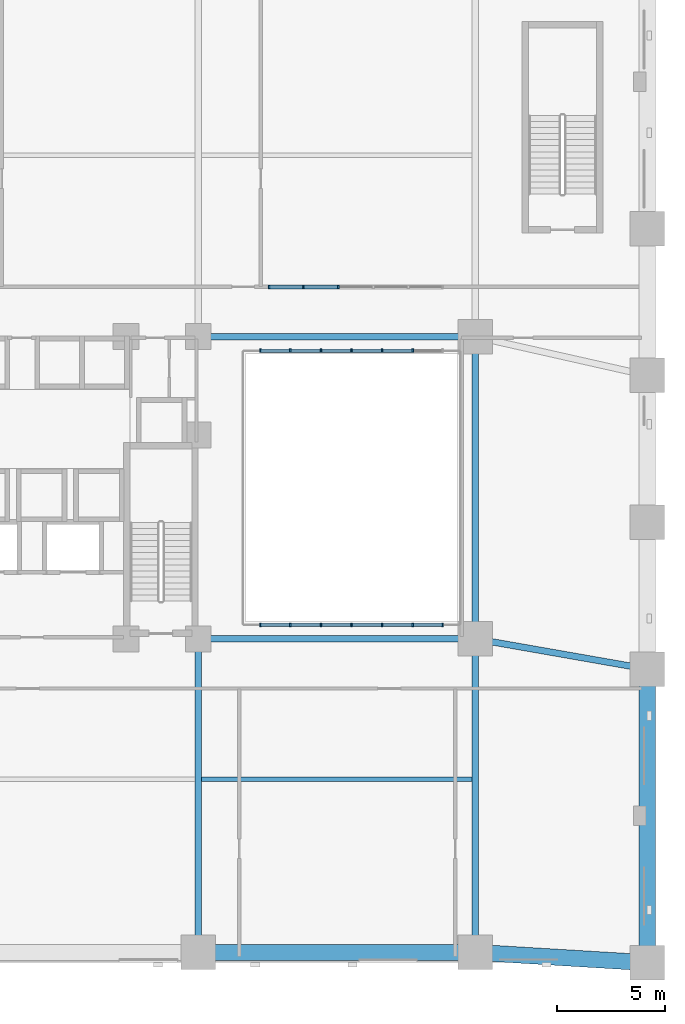
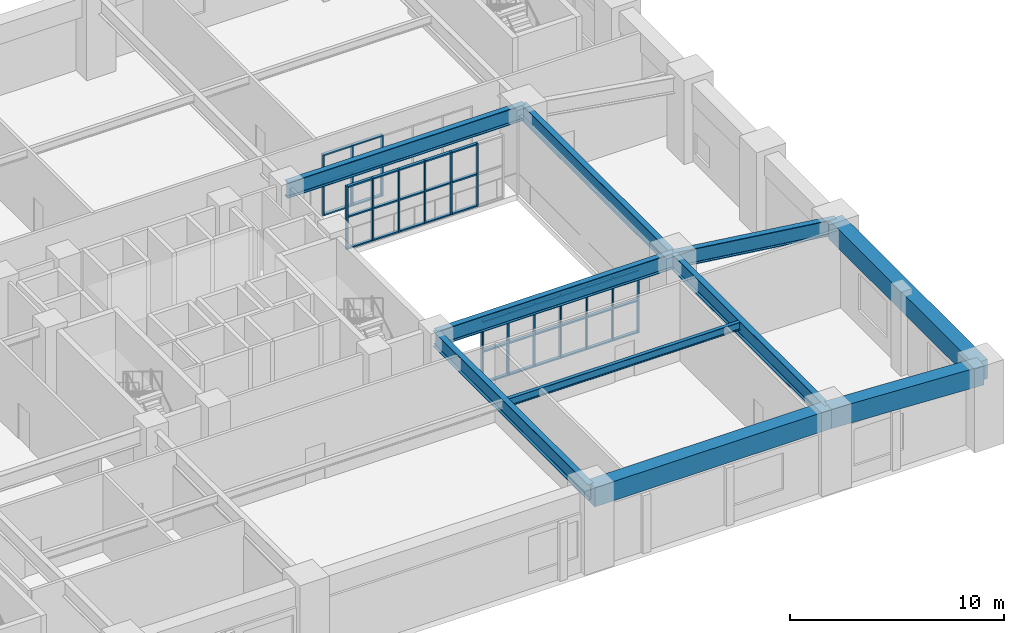
# One storey, part 3 of 13: 55 members, 10 beams, 3 elements without a shape of their own.
"""IFC4 building model written with IfcOpenShell, lengths in metres."""

import ifcopenshell
import ifcopenshell.guid

model = None  # the IFC model being written
_history = None  # IfcOwnerHistory: only IFC2X3 demands one
_inside = {}  # id of a spatial element -> (the spatial element, [elements in it])
_under = {}  # id of a project, library or spatial element -> (it, [spatial elements below it])
_declared = {}  # id of a project -> (the project, [libraries it declares])
_typed = {}  # id of a type object -> (the type object, [elements of that type])
_made_of = {}  # id of a material, layer set ... -> (it, [elements and type objects made of it])


def new_model(schema):
    """Start an empty IFC model of exactly this schema.

    Asked for "IFC4X3", IfcOpenShell would pick the latest addendum, in which some entities
    have other attributes; the version numbers below select the first issue.
    IFC2X3 requires an IfcOwnerHistory on every rooted entity: one is made here for all.
    """
    global model, _history
    if schema == "IFC4X3":
        model = ifcopenshell.file(schema_version=(4, 3, 0, 0))
    else:
        model = ifcopenshell.file(schema=schema)
    _inside.clear()
    _under.clear()
    _declared.clear()
    _typed.clear()
    _made_of.clear()
    _history = None
    if model.schema == "IFC2X3":
        org = make("IfcOrganization", Name="unknown")
        user = make(
            "IfcPersonAndOrganization",
            ThePerson=make("IfcPerson", FamilyName="unknown"),
            TheOrganization=org,
        )
        app = make(
            "IfcApplication",
            ApplicationDeveloper=org,
            Version="unknown",
            ApplicationFullName="unknown",
            ApplicationIdentifier="unknown",
        )
        _history = make(
            "IfcOwnerHistory",
            OwningUser=user,
            OwningApplication=app,
            ChangeAction="ADDED",
            CreationDate=0,
        )
    return model


def make(cls, **values):
    """One entity of the class cls with the attributes given. An attribute that is None is left unset."""
    return model.create_entity(
        cls, **{name: value for name, value in values.items() if value is not None}
    )


def rooted(cls, **values):
    """An entity with a GlobalId (a new one), such as an element, a storey or a relation."""
    return make(cls, GlobalId=ifcopenshell.guid.new(), OwnerHistory=_history, **values)


def si_unit(unit_type, name, prefix=None):
    """IfcSIUnit, for example si_unit("LENGTHUNIT", "METRE", prefix="MILLI")."""
    return make("IfcSIUnit", UnitType=unit_type, Prefix=prefix, Name=name)


def derived_unit(unit_type, elements):
    """IfcDerivedUnit: a product of units, each with its exponent."""
    return make(
        "IfcDerivedUnit",
        Elements=[
            make("IfcDerivedUnitElement", Unit=unit, Exponent=power)
            for unit, power in elements
        ],
        UnitType=unit_type,
    )


def assignment(units):
    """IfcUnitAssignment: the units of a project."""
    return None if units is None else make("IfcUnitAssignment", Units=units)


def point(xyz):
    """IfcCartesianPoint."""
    return None if xyz is None else make("IfcCartesianPoint", Coordinates=xyz)


def direction(xyz):
    """IfcDirection."""
    return None if xyz is None else make("IfcDirection", DirectionRatios=xyz)


def frame(location, z_axis=None, x_axis=None):
    """IfcAxis2Placement3D, a coordinate frame: its origin and axes. An axis left out is left unset."""
    return make(
        "IfcAxis2Placement3D",
        Location=point(location),
        Axis=direction(z_axis),
        RefDirection=direction(x_axis),
    )


def frame_2d(location, x_axis=None):
    """IfcAxis2Placement2D, a coordinate frame in the plane: its origin and x axis."""
    return make(
        "IfcAxis2Placement2D", Location=point(location), RefDirection=direction(x_axis)
    )


def origin():
    """The frame at (0, 0, 0) with its axes left unset."""
    return frame((0.0, 0.0, 0.0))


def origin_2d():
    """The frame at (0, 0) in the plane with its x axis left unset."""
    return frame_2d((0.0, 0.0))


def place(relative_to, where):
    """IfcLocalPlacement: puts the frame where relative to a parent placement (None: the world)."""
    return make(
        "IfcLocalPlacement", PlacementRelTo=relative_to, RelativePlacement=where
    )


def context(
    kind, dimensions, precision=None, world=None, true_north=None, identifier=None
):
    """IfcGeometricRepresentationContext, for example the 3D "Model" context."""
    return make(
        "IfcGeometricRepresentationContext",
        ContextIdentifier=identifier,
        ContextType=kind,
        CoordinateSpaceDimension=dimensions,
        Precision=precision,
        WorldCoordinateSystem=world,
        TrueNorth=true_north,
    )


def subcontext(parent, identifier, kind, view, scale=None):
    """IfcGeometricRepresentationSubContext, for example "Body" below "Model"."""
    return make(
        "IfcGeometricRepresentationSubContext",
        ContextIdentifier=identifier,
        ContextType=kind,
        ParentContext=parent,
        TargetScale=scale,
        TargetView=view,
    )


def project(units=None, contexts=None):
    """IfcProject with its units and contexts."""
    return rooted(
        "IfcProject",
        Name="project",
        RepresentationContexts=contexts,
        UnitsInContext=assignment(units),
    )


def spatial(cls, under=None, at=None, **own):
    """A site, building, storey or space (cls), placed at a placement, below another one or the project."""
    s = rooted(cls, ObjectPlacement=at, **own)
    if under is not None:
        _under.setdefault(under.id(), (under, []))[1].append(s)
    return s


def profile(cls, at=None, kind="AREA", **sizes):
    """A parametric profile (cls). Its sizes go by their IFC names, for example OverallWidth=200.0."""
    return make(cls, ProfileType=kind, Position=at, **sizes)


def rectangle(**sizes):
    """IfcRectangleProfileDef."""
    return profile("IfcRectangleProfileDef", **sizes)


def i_section(**sizes):
    """IfcIShapeProfileDef."""
    return profile("IfcIShapeProfileDef", **sizes)


def extrude(swept, where, along, depth):
    """IfcExtrudedAreaSolid: the profile swept, set in the frame where, extruded along a direction by depth."""
    return make(
        "IfcExtrudedAreaSolid",
        SweptArea=swept,
        Position=where,
        ExtrudedDirection=direction(along),
        Depth=depth,
    )


def shape(context_of_items, identifier, shape_type, items):
    """IfcShapeRepresentation: the items that make up one representation, for example the "Body"."""
    return make(
        "IfcShapeRepresentation",
        ContextOfItems=context_of_items,
        RepresentationIdentifier=identifier,
        RepresentationType=shape_type,
        Items=items,
    )


def material(Name=None, Category=None):
    """IfcMaterial."""
    return make("IfcMaterial", Name=Name, Category=Category)


def material_profile(
    of_material, cross_section, Name=None, Category=None, Priority=None
):
    """IfcMaterialProfile: a cross section and its material."""
    return make(
        "IfcMaterialProfile",
        Name=Name,
        Material=of_material,
        Profile=cross_section,
        Priority=Priority,
        Category=Category,
    )


def profile_set(profiles, Name=None, composite=None):
    """IfcMaterialProfileSet."""
    return make(
        "IfcMaterialProfileSet",
        Name=Name,
        MaterialProfiles=profiles,
        CompositeProfile=composite,
    )


def made_of(thing, what):
    """Note that an element or type object is made of a material, layer set ...; save() writes the relation."""
    if what is not None:
        _made_of.setdefault(what.id(), (what, []))[1].append(thing)
    return thing


def type_object(cls, material=None, **own):
    """A type object (cls), such as IfcWallType, which elements share."""
    return made_of(rooted(cls, **own), material)


def element(
    cls,
    number,
    at=None,
    inside=None,
    cuts=None,
    type_object=None,
    material=None,
    context=None,
    identifier="Body",
    shape_type=None,
    held_by="IfcProductDefinitionShape",
    body=None,
    shapes=None,
    **own,
):
    """One element of the class cls, such as IfcWall. Its Tag is "e" and its number.

    at: its placement. inside: the storey or other place that contains it. cuts: it is an
    opening in that element (IfcRelVoidsElement). A single representation is given by context,
    identifier, shape_type and body (its items); several are given by shapes. held_by: the class
    of the entity that holds the representations. save() writes the other relations.
    """
    e = rooted(cls, Tag="e%d" % number, ObjectPlacement=at, **own)
    if body is not None:
        shapes = [shape(context, identifier, shape_type, body)]
    if shapes is not None:
        e.Representation = make(held_by, Representations=shapes)
    if inside is not None:
        _inside.setdefault(inside.id(), (inside, []))[1].append(e)
    if cuts is not None:
        rooted(
            "IfcRelVoidsElement", RelatingBuildingElement=cuts, RelatedOpeningElement=e
        )
    if type_object is not None:
        _typed.setdefault(type_object.id(), (type_object, []))[1].append(e)
    return made_of(e, material)


def aggregate(whole, parts):
    """IfcRelAggregates: a whole, such as a stair, and the parts it consists of."""
    return rooted("IfcRelAggregates", RelatingObject=whole, RelatedObjects=parts)


def save(model, path):
    """Write the relations noted so far, then the file.

    IfcRelAggregates (storeys below a building ...), IfcRelContainedInSpatialStructure (elements
    in a storey), IfcRelDefinesByType, IfcRelAssociatesMaterial and IfcRelDeclares: one each for
    every whole, place, type object, material and project.
    """
    for whole, parts in _under.values():
        aggregate(whole, parts)
    for where, things in _inside.values():
        rooted(
            "IfcRelContainedInSpatialStructure",
            RelatedElements=things,
            RelatingStructure=where,
        )
    for kind, things in _typed.values():
        rooted("IfcRelDefinesByType", RelatedObjects=things, RelatingType=kind)
    for what, things in _made_of.values():
        rooted("IfcRelAssociatesMaterial", RelatedObjects=things, RelatingMaterial=what)
    for by, libraries in _declared.values():
        rooted("IfcRelDeclares", RelatingContext=by, RelatedDefinitions=libraries)
    model.write(path)


model = new_model("IFC4")

# Units and contexts
model_context = context("Model", 3, precision=1e-05, world=origin(), true_north=direction((0.0, 1.0)))
body_context = subcontext(model_context, "Body", "Model", "MODEL_VIEW")
ifc_project = project(units=[si_unit("LENGTHUNIT", "METRE"), si_unit("AREAUNIT", "SQUARE_METRE"), si_unit("VOLUMEUNIT", "CUBIC_METRE"), si_unit("PLANEANGLEUNIT", "RADIAN"), si_unit("MASSUNIT", "GRAM", prefix="KILO"), derived_unit("THERMALTRANSMITTANCEUNIT", [(si_unit("MASSUNIT", "GRAM", prefix="KILO"), 1), (si_unit("TIMEUNIT", "SECOND"), -3), (si_unit("THERMODYNAMICTEMPERATUREUNIT", "KELVIN"), -1)])], contexts=[model_context])

# Site, building, storey
site_placement = place(None, origin())
site = spatial("IfcSite", under=ifc_project, at=site_placement, CompositionType="ELEMENT")
building_placement = place(site_placement, origin())
building = spatial("IfcBuilding", under=site, at=building_placement, Name="Korrvale Station Residences", CompositionType="ELEMENT")
storey_placement = place(building_placement, frame((0.0, 0.0, 11.199951171875)))
storey = spatial("IfcBuildingStorey", under=building, at=storey_placement, Name="L02", CompositionType="ELEMENT", Elevation=11.199951171875)

# Beams
ifc_material_1 = material(Name="Steel S355", Category="steel")
ifc_material_profile_1 = material_profile(ifc_material_1, i_section(OverallWidth=0.300048828125, OverallDepth=0.89990234375, WebThickness=0.01611328125, FlangeThickness=0.030029296875, FilletRadius=0.01611328125, at=origin_2d()), Name="WWF900x262")
ifc_profile_set_1 = profile_set([ifc_material_profile_1], Name="Steel S355")
beam_type_1 = type_object("IfcBeamType", Name="BM-BM-WWF900x262-S355", PredefinedType="BEAM", material=ifc_profile_set_1)
beam_1_placement = place(storey_placement, frame((46.02001953125, 0.47998046875, 4.030029296875), z_axis=(0.0, 1.0, 0.0), x_axis=(-1.0, 0.0, 0.0)))
element("IfcBeam", 1, at=beam_1_placement, inside=storey, type_object=beam_type_1, Name="L02 Station Primary Girder 04", PredefinedType="BEAM", context=body_context, shape_type="SweptSolid", body=[
    extrude(i_section(OverallWidth=0.300048828125, OverallDepth=0.89990234375, WebThickness=0.01611328125, FlangeThickness=0.030029296875, FilletRadius=0.01611328125, at=origin_2d()), origin(), (0.0, 0.0, 1.0), 14.52001953125),
])
beam_2_placement = place(storey_placement, frame((46.02001953125, 15.0, 4.030029296875), z_axis=(0.0, 1.0, 0.0), x_axis=(-1.0, 0.0, 0.0)))
element("IfcBeam", 2, at=beam_2_placement, inside=storey, type_object=beam_type_1, Name="L02 Station Primary Girder 05", PredefinedType="BEAM", context=body_context, shape_type="SweptSolid", body=[
    extrude(i_section(OverallWidth=0.300048828125, OverallDepth=0.89990234375, WebThickness=0.01611328125, FlangeThickness=0.030029296875, FilletRadius=0.01611328125, at=origin_2d()), origin(), (0.0, 0.0, 1.0), 14.0),
])
beam_3_placement = place(storey_placement, frame((46.02001953125, 15.0, 4.030029296875), z_axis=(0.98495900412, -0.172788194628, 0.0), x_axis=(0.172788194628, 0.98495900412, 0.0)))
element("IfcBeam", 3, at=beam_3_placement, inside=storey, type_object=beam_type_1, Name="L02 Station Primary Girder 13", PredefinedType="BEAM", context=body_context, shape_type="SweptSolid", body=[
    extrude(i_section(OverallWidth=0.300048828125, OverallDepth=0.89990234375, WebThickness=0.01611328125, FlangeThickness=0.030029296875, FilletRadius=0.01611328125, at=origin_2d()), origin(), (0.0, 0.0, 1.0), 8.101806640625),
])
for number, where, z_axis, x_axis, name in (
    (4, (33.199951171875, 15.0, 4.030029296875), (1.0, 0.0, 0.0), (0.0, 1.0, 0.0), "L02 Station Primary Girder 15"),
    (5, (33.199951171875, 29.0, 4.030029296875), (1.0, 0.0, 0.0), (0.0, 1.0, 0.0), "L02 Station Primary Girder 16"),
):
    element("IfcBeam", number, at=place(storey_placement, frame(where, z_axis=z_axis, x_axis=x_axis)), inside=storey, type_object=beam_type_1, Name=name, PredefinedType="BEAM", context=body_context, shape_type="SweptSolid", body=[
        extrude(i_section(OverallWidth=0.300048828125, OverallDepth=0.89990234375, WebThickness=0.01611328125, FlangeThickness=0.030029296875, FilletRadius=0.01611328125, at=origin_2d()), origin(), (0.0, 0.0, 1.0), 12.820068359375),
    ])
beam_4_placement = place(storey_placement, frame((33.199951171875, 0.47998046875, 4.030029296875), z_axis=(0.0, 1.0, 0.0), x_axis=(-1.0, 0.0, 0.0)))
element("IfcBeam", 6, at=beam_4_placement, inside=storey, type_object=beam_type_1, Name="L02 Station Primary Girder 18", PredefinedType="BEAM", context=body_context, shape_type="SweptSolid", body=[
    extrude(i_section(OverallWidth=0.300048828125, OverallDepth=0.89990234375, WebThickness=0.01611328125, FlangeThickness=0.030029296875, FilletRadius=0.01611328125, at=origin_2d()), origin(), (0.0, 0.0, 1.0), 14.52001953125),
])
ifc_material_profile_2 = material_profile(ifc_material_1, i_section(OverallWidth=0.18994140625, OverallDepth=0.45703125, WebThickness=0.009033203125, FlangeThickness=0.014404296875, FilletRadius=0.01611328125, at=origin_2d()), Name="W460x74")
ifc_profile_set_2 = profile_set([ifc_material_profile_2], Name="Steel S355")
beam_type_2 = type_object("IfcBeamType", Name="BM-JST-W460x74-S355", PredefinedType="JOIST", material=ifc_profile_set_2)
beam_5_placement = place(storey_placement, frame((33.35009765625, 8.5, 4.25146484375), z_axis=(1.0, 0.0, 0.0), x_axis=(0.0, 1.0, 0.0)))
element("IfcBeam", 7, at=beam_5_placement, inside=storey, type_object=beam_type_2, Name="L02 Station Floor Joist 07", PredefinedType="JOIST", context=body_context, shape_type="SweptSolid", body=[
    extrude(i_section(OverallWidth=0.18994140625, OverallDepth=0.45703125, WebThickness=0.009033203125, FlangeThickness=0.014404296875, FilletRadius=0.01611328125, at=origin_2d()), origin(), (0.0, 0.0, 1.0), 12.52001953125),
])
ifc_material_2 = material(Name="Concrete C70/85", Category="concrete")
ifc_material_profile_3 = material_profile(ifc_material_2, rectangle(XDim=0.75, YDim=1.10009765625, at=origin_2d()), Name="RCB750x1100")
ifc_profile_set_3 = profile_set([ifc_material_profile_3], Name="Concrete C70/85")
beam_type_3 = type_object("IfcBeamType", Name="BM-SPB-RCB750x1100-C7085", PredefinedType="SPANDREL", material=ifc_profile_set_3)
beam_6_placement = place(storey_placement, frame((54.0, 0.0, 3.929931640625), z_axis=(0.0, 1.0, 0.0), x_axis=(-1.0, 0.0, 0.0)))
element("IfcBeam", 8, at=beam_6_placement, inside=storey, type_object=beam_type_3, Name="L02 Station Spandrel Beam 06", PredefinedType="SPANDREL", context=body_context, shape_type="SweptSolid", body=[
    extrude(rectangle(XDim=0.75, YDim=1.10009765625, at=origin_2d()), origin(), (0.0, 0.0, 1.0), 13.60009765625),
])
beam_7_placement = place(storey_placement, frame((33.199951171875, 0.47998046875, 3.929931640625), z_axis=(1.0, 0.0, 0.0), x_axis=(0.0, 1.0, 0.0)))
element("IfcBeam", 9, at=beam_7_placement, inside=storey, type_object=beam_type_3, Name="L02 Station Spandrel Beam 14", PredefinedType="SPANDREL", context=body_context, shape_type="SweptSolid", body=[
    extrude(rectangle(XDim=0.75, YDim=1.10009765625, at=origin_2d()), origin(), (0.0, 0.0, 1.0), 12.820068359375),
])
beam_8_placement = place(storey_placement, frame((46.02001953125, 0.47998046875, 3.929931640625), z_axis=(0.998195997903, -0.060039568374, 0.0), x_axis=(0.060039568374, 0.998195997903, 0.0)))
element("IfcBeam", 10, at=beam_8_placement, inside=storey, type_object=beam_type_3, Name="L02 Station Spandrel Beam 15", PredefinedType="SPANDREL", context=body_context, shape_type="SweptSolid", body=[
    extrude(rectangle(XDim=0.75, YDim=1.10009765625, at=origin_2d()), origin(), (0.0, 0.0, 1.0), 7.994384765625),
])

# Curtain wall, members
ifc_material_3 = material(Name="Unitised thermally broken aluminium curtain wall with triple low-e IGU", Category="aluminium")
curtain_wall_type_1 = type_object("IfcCurtainWallType", Name="CW-ATR-POD", PredefinedType="NOTDEFINED", material=ifc_material_3)
curtain_wall_1_placement = place(storey_placement, origin())
curtain_wall_1 = element("IfcCurtainWall", 11, at=curtain_wall_1_placement, inside=storey, type_object=curtain_wall_type_1, Name="L02 Curtain Wall CW3-RUN-3", PredefinedType="NOTDEFINED")
ifc_material_4 = material(Name="Extruded thermally broken aluminium mullion", Category="aluminium")
member_type_1 = type_object("IfcMemberType", Name="CW-ATR-POD-M", PredefinedType="MULLION", material=ifc_material_4)
member_1_placement = place(storey_placement, frame((36.090087890625, 15.64990234375, 0.0), z_axis=(0.0, 0.0, 1.0), x_axis=(1.0, 0.0, 0.0)))
member_1 = element("IfcMember", 12, at=member_1_placement, type_object=member_type_1, Name="CW-ATR-POD Mullion 1", PredefinedType="MULLION", context=body_context, shape_type="SweptSolid", body=[
    extrude(rectangle(XDim=0.080078125, YDim=0.1650390625, at=origin_2d()), origin(), (0.0, 0.0, 1.0), 3.60009765625),
])
member_2_placement = place(storey_placement, frame((37.466796875, 15.64990234375, 0.0), z_axis=(0.0, 0.0, 1.0), x_axis=(1.0, 0.0, 0.0)))
member_2 = element("IfcMember", 13, at=member_2_placement, type_object=member_type_1, Name="CW-ATR-POD Mullion 2", PredefinedType="MULLION", context=body_context, shape_type="SweptSolid", body=[
    extrude(rectangle(XDim=0.080078125, YDim=0.1650390625, at=origin_2d()), origin(), (0.0, 0.0, 1.0), 3.60009765625),
])
member_3_placement = place(storey_placement, frame((38.88330078125, 15.64990234375, 0.0), z_axis=(0.0, 0.0, 1.0), x_axis=(1.0, 0.0, 0.0)))
member_3 = element("IfcMember", 14, at=member_3_placement, type_object=member_type_1, Name="CW-ATR-POD Mullion 3", PredefinedType="MULLION", context=body_context, shape_type="SweptSolid", body=[
    extrude(rectangle(XDim=0.080078125, YDim=0.1650390625, at=origin_2d()), origin(), (0.0, 0.0, 1.0), 3.60009765625),
])
member_4_placement = place(storey_placement, frame((40.300048828125, 15.64990234375, 0.0), z_axis=(0.0, 0.0, 1.0), x_axis=(1.0, 0.0, 0.0)))
member_4 = element("IfcMember", 15, at=member_4_placement, type_object=member_type_1, Name="CW-ATR-POD Mullion 4", PredefinedType="MULLION", context=body_context, shape_type="SweptSolid", body=[
    extrude(rectangle(XDim=0.080078125, YDim=0.1650390625, at=origin_2d()), origin(), (0.0, 0.0, 1.0), 3.60009765625),
])
member_5_placement = place(storey_placement, frame((41.716796875, 15.64990234375, 0.0), z_axis=(0.0, 0.0, 1.0), x_axis=(1.0, 0.0, 0.0)))
member_5 = element("IfcMember", 16, at=member_5_placement, type_object=member_type_1, Name="CW-ATR-POD Mullion 5", PredefinedType="MULLION", context=body_context, shape_type="SweptSolid", body=[
    extrude(rectangle(XDim=0.080078125, YDim=0.1650390625, at=origin_2d()), origin(), (0.0, 0.0, 1.0), 3.60009765625),
])
member_6_placement = place(storey_placement, frame((43.13330078125, 15.64990234375, 0.0), z_axis=(0.0, 0.0, 1.0), x_axis=(1.0, 0.0, 0.0)))
member_6 = element("IfcMember", 17, at=member_6_placement, type_object=member_type_1, Name="CW-ATR-POD Mullion 6", PredefinedType="MULLION", context=body_context, shape_type="SweptSolid", body=[
    extrude(rectangle(XDim=0.080078125, YDim=0.1650390625, at=origin_2d()), origin(), (0.0, 0.0, 1.0), 3.60009765625),
])
member_7_placement = place(storey_placement, frame((44.510009765625, 15.64990234375, 0.0), z_axis=(0.0, 0.0, 1.0), x_axis=(1.0, 0.0, 0.0)))
member_7 = element("IfcMember", 18, at=member_7_placement, type_object=member_type_1, Name="CW-ATR-POD Mullion 7", PredefinedType="MULLION", context=body_context, shape_type="SweptSolid", body=[
    extrude(rectangle(XDim=0.080078125, YDim=0.1650390625, at=origin_2d()), origin(), (0.0, 0.0, 1.0), 3.60009765625),
])

curtain_wall_2_placement = place(storey_placement, origin())
curtain_wall_2 = element("IfcCurtainWall", 19, at=curtain_wall_2_placement, inside=storey, type_object=curtain_wall_type_1, Name="L02 Curtain Wall CW3-RUN-4", PredefinedType="NOTDEFINED")
member_8_placement = place(storey_placement, frame((36.090087890625, 28.35009765625, 0.0), z_axis=(0.0, 0.0, 1.0), x_axis=(1.0, 0.0, 0.0)))
member_8 = element("IfcMember", 20, at=member_8_placement, type_object=member_type_1, Name="CW-ATR-POD Mullion 1", PredefinedType="MULLION", context=body_context, shape_type="SweptSolid", body=[
    extrude(rectangle(XDim=0.080078125, YDim=0.1650390625, at=origin_2d()), origin(), (0.0, 0.0, 1.0), 3.60009765625),
])
member_9_placement = place(storey_placement, frame((37.466796875, 28.35009765625, 0.0), z_axis=(0.0, 0.0, 1.0), x_axis=(1.0, 0.0, 0.0)))
member_9 = element("IfcMember", 21, at=member_9_placement, type_object=member_type_1, Name="CW-ATR-POD Mullion 2", PredefinedType="MULLION", context=body_context, shape_type="SweptSolid", body=[
    extrude(rectangle(XDim=0.080078125, YDim=0.1650390625, at=origin_2d()), origin(), (0.0, 0.0, 1.0), 3.60009765625),
])
member_10_placement = place(storey_placement, frame((38.88330078125, 28.35009765625, 0.0), z_axis=(0.0, 0.0, 1.0), x_axis=(1.0, 0.0, 0.0)))
member_10 = element("IfcMember", 22, at=member_10_placement, type_object=member_type_1, Name="CW-ATR-POD Mullion 3", PredefinedType="MULLION", context=body_context, shape_type="SweptSolid", body=[
    extrude(rectangle(XDim=0.080078125, YDim=0.1650390625, at=origin_2d()), origin(), (0.0, 0.0, 1.0), 3.60009765625),
])
member_11_placement = place(storey_placement, frame((40.300048828125, 28.35009765625, 0.0), z_axis=(0.0, 0.0, 1.0), x_axis=(1.0, 0.0, 0.0)))
member_11 = element("IfcMember", 23, at=member_11_placement, type_object=member_type_1, Name="CW-ATR-POD Mullion 4", PredefinedType="MULLION", context=body_context, shape_type="SweptSolid", body=[
    extrude(rectangle(XDim=0.080078125, YDim=0.1650390625, at=origin_2d()), origin(), (0.0, 0.0, 1.0), 3.60009765625),
])
member_12_placement = place(storey_placement, frame((41.716796875, 28.35009765625, 0.0), z_axis=(0.0, 0.0, 1.0), x_axis=(1.0, 0.0, 0.0)))
member_12 = element("IfcMember", 24, at=member_12_placement, type_object=member_type_1, Name="CW-ATR-POD Mullion 5", PredefinedType="MULLION", context=body_context, shape_type="SweptSolid", body=[
    extrude(rectangle(XDim=0.080078125, YDim=0.1650390625, at=origin_2d()), origin(), (0.0, 0.0, 1.0), 3.60009765625),
])
member_13_placement = place(storey_placement, frame((43.13330078125, 28.35009765625, 0.0), z_axis=(0.0, 0.0, 1.0), x_axis=(1.0, 0.0, 0.0)))
member_13 = element("IfcMember", 25, at=member_13_placement, type_object=member_type_1, Name="CW-ATR-POD Mullion 6", PredefinedType="MULLION", context=body_context, shape_type="SweptSolid", body=[
    extrude(rectangle(XDim=0.080078125, YDim=0.1650390625, at=origin_2d()), origin(), (0.0, 0.0, 1.0), 3.60009765625),
])

# Member
ifc_material_5 = material(Name="Extruded thermally broken aluminium transom", Category="aluminium")
member_type_2 = type_object("IfcMemberType", Name="CW-ATR-POD-T", PredefinedType="USERDEFINED", material=ifc_material_5)
member_14_placement = place(storey_placement, frame((36.75830078125, 15.64990234375, 0.0), z_axis=(0.0, 0.0, 1.0), x_axis=(1.0, 0.0, 0.0)))
member_14 = element("IfcMember", 26, at=member_14_placement, type_object=member_type_2, Name="CW-ATR-POD Transom 1-1", ObjectType="TRANSOM", PredefinedType="USERDEFINED", context=body_context, shape_type="SweptSolid", body=[
    extrude(rectangle(XDim=1.336669921875, YDim=0.1650390625, at=origin_2d()), origin(), (0.0, 0.0, 1.0), 0.080078125),
])

member_15_placement = place(storey_placement, frame((36.75830078125, 15.64990234375, 1.81005859375), z_axis=(0.0, 0.0, 1.0), x_axis=(1.0, 0.0, 0.0)))
member_15 = element("IfcMember", 27, at=member_15_placement, type_object=member_type_2, Name="CW-ATR-POD Transom 1-2", ObjectType="TRANSOM", PredefinedType="USERDEFINED", context=body_context, shape_type="SweptSolid", body=[
    extrude(rectangle(XDim=1.336669921875, YDim=0.1650390625, at=origin_2d()), origin(), (0.0, 0.0, 1.0), 0.080078125),
])

member_16_placement = place(storey_placement, frame((36.75830078125, 15.64990234375, 3.52001953125), z_axis=(0.0, 0.0, 1.0), x_axis=(1.0, 0.0, 0.0)))
member_16 = element("IfcMember", 28, at=member_16_placement, type_object=member_type_2, Name="CW-ATR-POD Transom 1-3", ObjectType="TRANSOM", PredefinedType="USERDEFINED", context=body_context, shape_type="SweptSolid", body=[
    extrude(rectangle(XDim=1.336669921875, YDim=0.1650390625, at=origin_2d()), origin(), (0.0, 0.0, 1.0), 0.080078125),
])

member_17_placement = place(storey_placement, frame((38.175048828125, 15.64990234375, 0.0), z_axis=(0.0, 0.0, 1.0), x_axis=(1.0, 0.0, 0.0)))
member_17 = element("IfcMember", 29, at=member_17_placement, type_object=member_type_2, Name="CW-ATR-POD Transom 2-1", ObjectType="TRANSOM", PredefinedType="USERDEFINED", context=body_context, shape_type="SweptSolid", body=[
    extrude(rectangle(XDim=1.336669921875, YDim=0.1650390625, at=origin_2d()), origin(), (0.0, 0.0, 1.0), 0.080078125),
])

member_18_placement = place(storey_placement, frame((38.175048828125, 15.64990234375, 1.81005859375), z_axis=(0.0, 0.0, 1.0), x_axis=(1.0, 0.0, 0.0)))
member_18 = element("IfcMember", 30, at=member_18_placement, type_object=member_type_2, Name="CW-ATR-POD Transom 2-2", ObjectType="TRANSOM", PredefinedType="USERDEFINED", context=body_context, shape_type="SweptSolid", body=[
    extrude(rectangle(XDim=1.336669921875, YDim=0.1650390625, at=origin_2d()), origin(), (0.0, 0.0, 1.0), 0.080078125),
])

member_19_placement = place(storey_placement, frame((38.175048828125, 15.64990234375, 3.52001953125), z_axis=(0.0, 0.0, 1.0), x_axis=(1.0, 0.0, 0.0)))
member_19 = element("IfcMember", 31, at=member_19_placement, type_object=member_type_2, Name="CW-ATR-POD Transom 2-3", ObjectType="TRANSOM", PredefinedType="USERDEFINED", context=body_context, shape_type="SweptSolid", body=[
    extrude(rectangle(XDim=1.336669921875, YDim=0.1650390625, at=origin_2d()), origin(), (0.0, 0.0, 1.0), 0.080078125),
])

member_20_placement = place(storey_placement, frame((39.591796875, 15.64990234375, 0.0), z_axis=(0.0, 0.0, 1.0), x_axis=(1.0, 0.0, 0.0)))
member_20 = element("IfcMember", 32, at=member_20_placement, type_object=member_type_2, Name="CW-ATR-POD Transom 3-1", ObjectType="TRANSOM", PredefinedType="USERDEFINED", context=body_context, shape_type="SweptSolid", body=[
    extrude(rectangle(XDim=1.336669921875, YDim=0.1650390625, at=origin_2d()), origin(), (0.0, 0.0, 1.0), 0.080078125),
])

member_21_placement = place(storey_placement, frame((39.591796875, 15.64990234375, 1.81005859375), z_axis=(0.0, 0.0, 1.0), x_axis=(1.0, 0.0, 0.0)))
member_21 = element("IfcMember", 33, at=member_21_placement, type_object=member_type_2, Name="CW-ATR-POD Transom 3-2", ObjectType="TRANSOM", PredefinedType="USERDEFINED", context=body_context, shape_type="SweptSolid", body=[
    extrude(rectangle(XDim=1.336669921875, YDim=0.1650390625, at=origin_2d()), origin(), (0.0, 0.0, 1.0), 0.080078125),
])

member_22_placement = place(storey_placement, frame((39.591796875, 15.64990234375, 3.52001953125), z_axis=(0.0, 0.0, 1.0), x_axis=(1.0, 0.0, 0.0)))
member_22 = element("IfcMember", 34, at=member_22_placement, type_object=member_type_2, Name="CW-ATR-POD Transom 3-3", ObjectType="TRANSOM", PredefinedType="USERDEFINED", context=body_context, shape_type="SweptSolid", body=[
    extrude(rectangle(XDim=1.336669921875, YDim=0.1650390625, at=origin_2d()), origin(), (0.0, 0.0, 1.0), 0.080078125),
])

member_23_placement = place(storey_placement, frame((41.00830078125, 15.64990234375, 0.0), z_axis=(0.0, 0.0, 1.0), x_axis=(1.0, 0.0, 0.0)))
member_23 = element("IfcMember", 35, at=member_23_placement, type_object=member_type_2, Name="CW-ATR-POD Transom 4-1", ObjectType="TRANSOM", PredefinedType="USERDEFINED", context=body_context, shape_type="SweptSolid", body=[
    extrude(rectangle(XDim=1.336669921875, YDim=0.1650390625, at=origin_2d()), origin(), (0.0, 0.0, 1.0), 0.080078125),
])

member_24_placement = place(storey_placement, frame((41.00830078125, 15.64990234375, 1.81005859375), z_axis=(0.0, 0.0, 1.0), x_axis=(1.0, 0.0, 0.0)))
member_24 = element("IfcMember", 36, at=member_24_placement, type_object=member_type_2, Name="CW-ATR-POD Transom 4-2", ObjectType="TRANSOM", PredefinedType="USERDEFINED", context=body_context, shape_type="SweptSolid", body=[
    extrude(rectangle(XDim=1.336669921875, YDim=0.1650390625, at=origin_2d()), origin(), (0.0, 0.0, 1.0), 0.080078125),
])

member_25_placement = place(storey_placement, frame((41.00830078125, 15.64990234375, 3.52001953125), z_axis=(0.0, 0.0, 1.0), x_axis=(1.0, 0.0, 0.0)))
member_25 = element("IfcMember", 37, at=member_25_placement, type_object=member_type_2, Name="CW-ATR-POD Transom 4-3", ObjectType="TRANSOM", PredefinedType="USERDEFINED", context=body_context, shape_type="SweptSolid", body=[
    extrude(rectangle(XDim=1.336669921875, YDim=0.1650390625, at=origin_2d()), origin(), (0.0, 0.0, 1.0), 0.080078125),
])

member_26_placement = place(storey_placement, frame((42.425048828125, 15.64990234375, 0.0), z_axis=(0.0, 0.0, 1.0), x_axis=(1.0, 0.0, 0.0)))
member_26 = element("IfcMember", 38, at=member_26_placement, type_object=member_type_2, Name="CW-ATR-POD Transom 5-1", ObjectType="TRANSOM", PredefinedType="USERDEFINED", context=body_context, shape_type="SweptSolid", body=[
    extrude(rectangle(XDim=1.336669921875, YDim=0.1650390625, at=origin_2d()), origin(), (0.0, 0.0, 1.0), 0.080078125),
])

member_27_placement = place(storey_placement, frame((42.425048828125, 15.64990234375, 1.81005859375), z_axis=(0.0, 0.0, 1.0), x_axis=(1.0, 0.0, 0.0)))
member_27 = element("IfcMember", 39, at=member_27_placement, type_object=member_type_2, Name="CW-ATR-POD Transom 5-2", ObjectType="TRANSOM", PredefinedType="USERDEFINED", context=body_context, shape_type="SweptSolid", body=[
    extrude(rectangle(XDim=1.336669921875, YDim=0.1650390625, at=origin_2d()), origin(), (0.0, 0.0, 1.0), 0.080078125),
])

member_28_placement = place(storey_placement, frame((42.425048828125, 15.64990234375, 3.52001953125), z_axis=(0.0, 0.0, 1.0), x_axis=(1.0, 0.0, 0.0)))
member_28 = element("IfcMember", 40, at=member_28_placement, type_object=member_type_2, Name="CW-ATR-POD Transom 5-3", ObjectType="TRANSOM", PredefinedType="USERDEFINED", context=body_context, shape_type="SweptSolid", body=[
    extrude(rectangle(XDim=1.336669921875, YDim=0.1650390625, at=origin_2d()), origin(), (0.0, 0.0, 1.0), 0.080078125),
])

member_29_placement = place(storey_placement, frame((43.841796875, 15.64990234375, 0.0), z_axis=(0.0, 0.0, 1.0), x_axis=(1.0, 0.0, 0.0)))
member_29 = element("IfcMember", 41, at=member_29_placement, type_object=member_type_2, Name="CW-ATR-POD Transom 6-1", ObjectType="TRANSOM", PredefinedType="USERDEFINED", context=body_context, shape_type="SweptSolid", body=[
    extrude(rectangle(XDim=1.336669921875, YDim=0.1650390625, at=origin_2d()), origin(), (0.0, 0.0, 1.0), 0.080078125),
])

member_30_placement = place(storey_placement, frame((43.841796875, 15.64990234375, 1.81005859375), z_axis=(0.0, 0.0, 1.0), x_axis=(1.0, 0.0, 0.0)))
member_30 = element("IfcMember", 42, at=member_30_placement, type_object=member_type_2, Name="CW-ATR-POD Transom 6-2", ObjectType="TRANSOM", PredefinedType="USERDEFINED", context=body_context, shape_type="SweptSolid", body=[
    extrude(rectangle(XDim=1.336669921875, YDim=0.1650390625, at=origin_2d()), origin(), (0.0, 0.0, 1.0), 0.080078125),
])

member_31_placement = place(storey_placement, frame((43.841796875, 15.64990234375, 3.52001953125), z_axis=(0.0, 0.0, 1.0), x_axis=(1.0, 0.0, 0.0)))
member_31 = element("IfcMember", 43, at=member_31_placement, type_object=member_type_2, Name="CW-ATR-POD Transom 6-3", ObjectType="TRANSOM", PredefinedType="USERDEFINED", context=body_context, shape_type="SweptSolid", body=[
    extrude(rectangle(XDim=1.336669921875, YDim=0.1650390625, at=origin_2d()), origin(), (0.0, 0.0, 1.0), 0.080078125),
])

aggregate(curtain_wall_1, [member_1, member_2, member_3, member_4, member_5, member_6, member_7, member_14, member_15, member_16, member_17, member_18, member_19, member_20, member_21, member_22, member_23, member_24, member_25, member_26, member_27, member_28, member_29, member_30, member_31])

member_32_placement = place(storey_placement, frame((36.75830078125, 28.35009765625, 0.0), z_axis=(0.0, 0.0, 1.0), x_axis=(1.0, 0.0, 0.0)))
member_32 = element("IfcMember", 44, at=member_32_placement, type_object=member_type_2, Name="CW-ATR-POD Transom 1-1", ObjectType="TRANSOM", PredefinedType="USERDEFINED", context=body_context, shape_type="SweptSolid", body=[
    extrude(rectangle(XDim=1.336669921875, YDim=0.1650390625, at=origin_2d()), origin(), (0.0, 0.0, 1.0), 0.080078125),
])

member_33_placement = place(storey_placement, frame((36.75830078125, 28.35009765625, 1.81005859375), z_axis=(0.0, 0.0, 1.0), x_axis=(1.0, 0.0, 0.0)))
member_33 = element("IfcMember", 45, at=member_33_placement, type_object=member_type_2, Name="CW-ATR-POD Transom 1-2", ObjectType="TRANSOM", PredefinedType="USERDEFINED", context=body_context, shape_type="SweptSolid", body=[
    extrude(rectangle(XDim=1.336669921875, YDim=0.1650390625, at=origin_2d()), origin(), (0.0, 0.0, 1.0), 0.080078125),
])

member_34_placement = place(storey_placement, frame((36.75830078125, 28.35009765625, 3.52001953125), z_axis=(0.0, 0.0, 1.0), x_axis=(1.0, 0.0, 0.0)))
member_34 = element("IfcMember", 46, at=member_34_placement, type_object=member_type_2, Name="CW-ATR-POD Transom 1-3", ObjectType="TRANSOM", PredefinedType="USERDEFINED", context=body_context, shape_type="SweptSolid", body=[
    extrude(rectangle(XDim=1.336669921875, YDim=0.1650390625, at=origin_2d()), origin(), (0.0, 0.0, 1.0), 0.080078125),
])

member_35_placement = place(storey_placement, frame((38.175048828125, 28.35009765625, 0.0), z_axis=(0.0, 0.0, 1.0), x_axis=(1.0, 0.0, 0.0)))
member_35 = element("IfcMember", 47, at=member_35_placement, type_object=member_type_2, Name="CW-ATR-POD Transom 2-1", ObjectType="TRANSOM", PredefinedType="USERDEFINED", context=body_context, shape_type="SweptSolid", body=[
    extrude(rectangle(XDim=1.336669921875, YDim=0.1650390625, at=origin_2d()), origin(), (0.0, 0.0, 1.0), 0.080078125),
])

member_36_placement = place(storey_placement, frame((38.175048828125, 28.35009765625, 1.81005859375), z_axis=(0.0, 0.0, 1.0), x_axis=(1.0, 0.0, 0.0)))
member_36 = element("IfcMember", 48, at=member_36_placement, type_object=member_type_2, Name="CW-ATR-POD Transom 2-2", ObjectType="TRANSOM", PredefinedType="USERDEFINED", context=body_context, shape_type="SweptSolid", body=[
    extrude(rectangle(XDim=1.336669921875, YDim=0.1650390625, at=origin_2d()), origin(), (0.0, 0.0, 1.0), 0.080078125),
])

member_37_placement = place(storey_placement, frame((38.175048828125, 28.35009765625, 3.52001953125), z_axis=(0.0, 0.0, 1.0), x_axis=(1.0, 0.0, 0.0)))
member_37 = element("IfcMember", 49, at=member_37_placement, type_object=member_type_2, Name="CW-ATR-POD Transom 2-3", ObjectType="TRANSOM", PredefinedType="USERDEFINED", context=body_context, shape_type="SweptSolid", body=[
    extrude(rectangle(XDim=1.336669921875, YDim=0.1650390625, at=origin_2d()), origin(), (0.0, 0.0, 1.0), 0.080078125),
])

member_38_placement = place(storey_placement, frame((39.591796875, 28.35009765625, 0.0), z_axis=(0.0, 0.0, 1.0), x_axis=(1.0, 0.0, 0.0)))
member_38 = element("IfcMember", 50, at=member_38_placement, type_object=member_type_2, Name="CW-ATR-POD Transom 3-1", ObjectType="TRANSOM", PredefinedType="USERDEFINED", context=body_context, shape_type="SweptSolid", body=[
    extrude(rectangle(XDim=1.336669921875, YDim=0.1650390625, at=origin_2d()), origin(), (0.0, 0.0, 1.0), 0.080078125),
])

member_39_placement = place(storey_placement, frame((39.591796875, 28.35009765625, 1.81005859375), z_axis=(0.0, 0.0, 1.0), x_axis=(1.0, 0.0, 0.0)))
member_39 = element("IfcMember", 51, at=member_39_placement, type_object=member_type_2, Name="CW-ATR-POD Transom 3-2", ObjectType="TRANSOM", PredefinedType="USERDEFINED", context=body_context, shape_type="SweptSolid", body=[
    extrude(rectangle(XDim=1.336669921875, YDim=0.1650390625, at=origin_2d()), origin(), (0.0, 0.0, 1.0), 0.080078125),
])

member_40_placement = place(storey_placement, frame((39.591796875, 28.35009765625, 3.52001953125), z_axis=(0.0, 0.0, 1.0), x_axis=(1.0, 0.0, 0.0)))
member_40 = element("IfcMember", 52, at=member_40_placement, type_object=member_type_2, Name="CW-ATR-POD Transom 3-3", ObjectType="TRANSOM", PredefinedType="USERDEFINED", context=body_context, shape_type="SweptSolid", body=[
    extrude(rectangle(XDim=1.336669921875, YDim=0.1650390625, at=origin_2d()), origin(), (0.0, 0.0, 1.0), 0.080078125),
])

member_41_placement = place(storey_placement, frame((41.00830078125, 28.35009765625, 0.0), z_axis=(0.0, 0.0, 1.0), x_axis=(1.0, 0.0, 0.0)))
member_41 = element("IfcMember", 53, at=member_41_placement, type_object=member_type_2, Name="CW-ATR-POD Transom 4-1", ObjectType="TRANSOM", PredefinedType="USERDEFINED", context=body_context, shape_type="SweptSolid", body=[
    extrude(rectangle(XDim=1.336669921875, YDim=0.1650390625, at=origin_2d()), origin(), (0.0, 0.0, 1.0), 0.080078125),
])

member_42_placement = place(storey_placement, frame((41.00830078125, 28.35009765625, 1.81005859375), z_axis=(0.0, 0.0, 1.0), x_axis=(1.0, 0.0, 0.0)))
member_42 = element("IfcMember", 54, at=member_42_placement, type_object=member_type_2, Name="CW-ATR-POD Transom 4-2", ObjectType="TRANSOM", PredefinedType="USERDEFINED", context=body_context, shape_type="SweptSolid", body=[
    extrude(rectangle(XDim=1.336669921875, YDim=0.1650390625, at=origin_2d()), origin(), (0.0, 0.0, 1.0), 0.080078125),
])

member_43_placement = place(storey_placement, frame((41.00830078125, 28.35009765625, 3.52001953125), z_axis=(0.0, 0.0, 1.0), x_axis=(1.0, 0.0, 0.0)))
member_43 = element("IfcMember", 55, at=member_43_placement, type_object=member_type_2, Name="CW-ATR-POD Transom 4-3", ObjectType="TRANSOM", PredefinedType="USERDEFINED", context=body_context, shape_type="SweptSolid", body=[
    extrude(rectangle(XDim=1.336669921875, YDim=0.1650390625, at=origin_2d()), origin(), (0.0, 0.0, 1.0), 0.080078125),
])

member_44_placement = place(storey_placement, frame((42.425048828125, 28.35009765625, 0.0), z_axis=(0.0, 0.0, 1.0), x_axis=(1.0, 0.0, 0.0)))
member_44 = element("IfcMember", 56, at=member_44_placement, type_object=member_type_2, Name="CW-ATR-POD Transom 5-1", ObjectType="TRANSOM", PredefinedType="USERDEFINED", context=body_context, shape_type="SweptSolid", body=[
    extrude(rectangle(XDim=1.336669921875, YDim=0.1650390625, at=origin_2d()), origin(), (0.0, 0.0, 1.0), 0.080078125),
])

member_45_placement = place(storey_placement, frame((42.425048828125, 28.35009765625, 1.81005859375), z_axis=(0.0, 0.0, 1.0), x_axis=(1.0, 0.0, 0.0)))
member_45 = element("IfcMember", 57, at=member_45_placement, type_object=member_type_2, Name="CW-ATR-POD Transom 5-2", ObjectType="TRANSOM", PredefinedType="USERDEFINED", context=body_context, shape_type="SweptSolid", body=[
    extrude(rectangle(XDim=1.336669921875, YDim=0.1650390625, at=origin_2d()), origin(), (0.0, 0.0, 1.0), 0.080078125),
])

member_46_placement = place(storey_placement, frame((42.425048828125, 28.35009765625, 3.52001953125), z_axis=(0.0, 0.0, 1.0), x_axis=(1.0, 0.0, 0.0)))
member_46 = element("IfcMember", 58, at=member_46_placement, type_object=member_type_2, Name="CW-ATR-POD Transom 5-3", ObjectType="TRANSOM", PredefinedType="USERDEFINED", context=body_context, shape_type="SweptSolid", body=[
    extrude(rectangle(XDim=1.336669921875, YDim=0.1650390625, at=origin_2d()), origin(), (0.0, 0.0, 1.0), 0.080078125),
])

aggregate(curtain_wall_2, [member_8, member_9, member_10, member_11, member_12, member_13, member_32, member_33, member_34, member_35, member_36, member_37, member_38, member_39, member_40, member_41, member_42, member_43, member_44, member_45, member_46])

# Curtain wall, members
curtain_wall_type_2 = type_object("IfcCurtainWallType", Name="CW-STN-CON", PredefinedType="NOTDEFINED", material=ifc_material_3)
curtain_wall_3_placement = place(storey_placement, origin())
curtain_wall_3 = element("IfcCurtainWall", 59, at=curtain_wall_3_placement, inside=storey, type_object=curtain_wall_type_2, Name="L02 Curtain Wall CW2-RUN-6", PredefinedType="NOTDEFINED")
member_type_3 = type_object("IfcMemberType", Name="CW-STN-CON-M", PredefinedType="MULLION", material=ifc_material_4)
member_47_placement = place(storey_placement, frame((36.489990234375, 31.300048828125, 0.0), z_axis=(0.0, 0.0, 1.0), x_axis=(1.0, 0.0, 0.0)))
member_47 = element("IfcMember", 60, at=member_47_placement, type_object=member_type_3, Name="CW-STN-CON Mullion 1", PredefinedType="MULLION", context=body_context, shape_type="SweptSolid", body=[
    extrude(rectangle(XDim=0.080078125, YDim=0.169921875, at=origin_2d()), origin(), (0.0, 0.0, 1.0), 3.5),
])
member_48_placement = place(storey_placement, frame((38.070068359375, 31.300048828125, 0.0), z_axis=(0.0, 0.0, 1.0), x_axis=(1.0, 0.0, 0.0)))
member_48 = element("IfcMember", 61, at=member_48_placement, type_object=member_type_3, Name="CW-STN-CON Mullion 2", PredefinedType="MULLION", context=body_context, shape_type="SweptSolid", body=[
    extrude(rectangle(XDim=0.080078125, YDim=0.169921875, at=origin_2d()), origin(), (0.0, 0.0, 1.0), 3.5),
])
member_49_placement = place(storey_placement, frame((39.68994140625, 31.300048828125, 0.0), z_axis=(0.0, 0.0, 1.0), x_axis=(1.0, 0.0, 0.0)))
member_49 = element("IfcMember", 62, at=member_49_placement, type_object=member_type_3, Name="CW-STN-CON Mullion 3", PredefinedType="MULLION", context=body_context, shape_type="SweptSolid", body=[
    extrude(rectangle(XDim=0.080078125, YDim=0.169921875, at=origin_2d()), origin(), (0.0, 0.0, 1.0), 3.5),
])
member_type_4 = type_object("IfcMemberType", Name="CW-STN-CON-T", PredefinedType="USERDEFINED", material=ifc_material_5)
member_50_placement = place(storey_placement, frame((37.260009765625, 31.300048828125, 0.0), z_axis=(0.0, 0.0, 1.0), x_axis=(1.0, 0.0, 0.0)))
member_50 = element("IfcMember", 63, at=member_50_placement, type_object=member_type_4, Name="CW-STN-CON Transom 1-1", ObjectType="TRANSOM", PredefinedType="USERDEFINED", context=body_context, shape_type="SweptSolid", body=[
    extrude(rectangle(XDim=1.5400390625, YDim=0.169921875, at=origin_2d()), origin(), (0.0, 0.0, 1.0), 0.080078125),
])
member_51_placement = place(storey_placement, frame((37.260009765625, 31.300048828125, 1.760009765625), z_axis=(0.0, 0.0, 1.0), x_axis=(1.0, 0.0, 0.0)))
member_51 = element("IfcMember", 64, at=member_51_placement, type_object=member_type_4, Name="CW-STN-CON Transom 1-2", ObjectType="TRANSOM", PredefinedType="USERDEFINED", context=body_context, shape_type="SweptSolid", body=[
    extrude(rectangle(XDim=1.5400390625, YDim=0.169921875, at=origin_2d()), origin(), (0.0, 0.0, 1.0), 0.080078125),
])
member_52_placement = place(storey_placement, frame((37.260009765625, 31.300048828125, 3.419921875), z_axis=(0.0, 0.0, 1.0), x_axis=(1.0, 0.0, 0.0)))
member_52 = element("IfcMember", 65, at=member_52_placement, type_object=member_type_4, Name="CW-STN-CON Transom 1-3", ObjectType="TRANSOM", PredefinedType="USERDEFINED", context=body_context, shape_type="SweptSolid", body=[
    extrude(rectangle(XDim=1.5400390625, YDim=0.169921875, at=origin_2d()), origin(), (0.0, 0.0, 1.0), 0.080078125),
])
member_53_placement = place(storey_placement, frame((38.8798828125, 31.300048828125, 0.0), z_axis=(0.0, 0.0, 1.0), x_axis=(1.0, 0.0, 0.0)))
member_53 = element("IfcMember", 66, at=member_53_placement, type_object=member_type_4, Name="CW-STN-CON Transom 2-1", ObjectType="TRANSOM", PredefinedType="USERDEFINED", context=body_context, shape_type="SweptSolid", body=[
    extrude(rectangle(XDim=1.5400390625, YDim=0.169921875, at=origin_2d()), origin(), (0.0, 0.0, 1.0), 0.080078125),
])
member_54_placement = place(storey_placement, frame((38.8798828125, 31.300048828125, 1.760009765625), z_axis=(0.0, 0.0, 1.0), x_axis=(1.0, 0.0, 0.0)))
member_54 = element("IfcMember", 67, at=member_54_placement, type_object=member_type_4, Name="CW-STN-CON Transom 2-2", ObjectType="TRANSOM", PredefinedType="USERDEFINED", context=body_context, shape_type="SweptSolid", body=[
    extrude(rectangle(XDim=1.5400390625, YDim=0.169921875, at=origin_2d()), origin(), (0.0, 0.0, 1.0), 0.080078125),
])
member_55_placement = place(storey_placement, frame((38.8798828125, 31.300048828125, 3.419921875), z_axis=(0.0, 0.0, 1.0), x_axis=(1.0, 0.0, 0.0)))
member_55 = element("IfcMember", 68, at=member_55_placement, type_object=member_type_4, Name="CW-STN-CON Transom 2-3", ObjectType="TRANSOM", PredefinedType="USERDEFINED", context=body_context, shape_type="SweptSolid", body=[
    extrude(rectangle(XDim=1.5400390625, YDim=0.169921875, at=origin_2d()), origin(), (0.0, 0.0, 1.0), 0.080078125),
])
aggregate(curtain_wall_3, [member_47, member_48, member_49, member_50, member_51, member_52, member_53, member_54, member_55])

save(model, "model.ifc")
